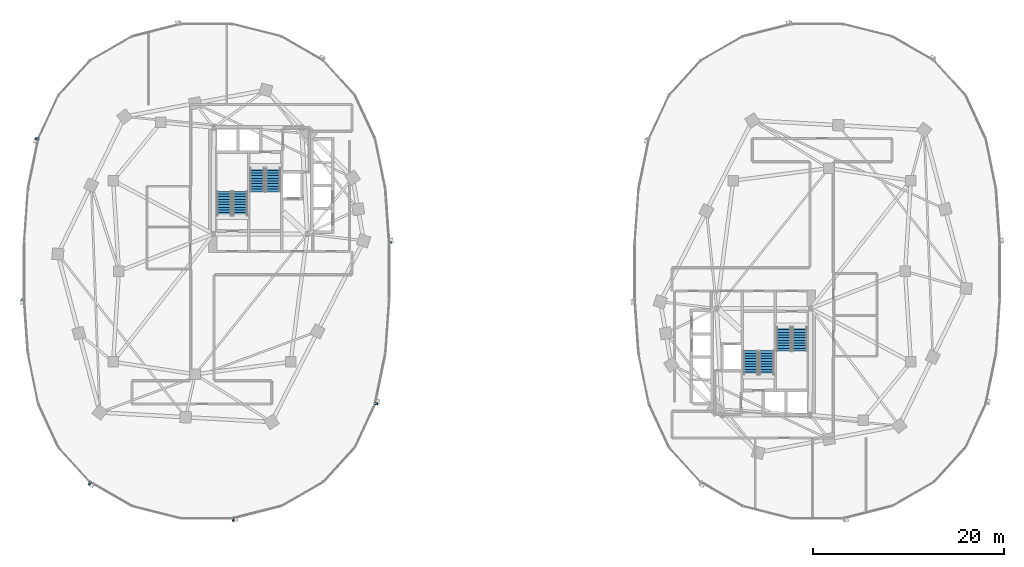
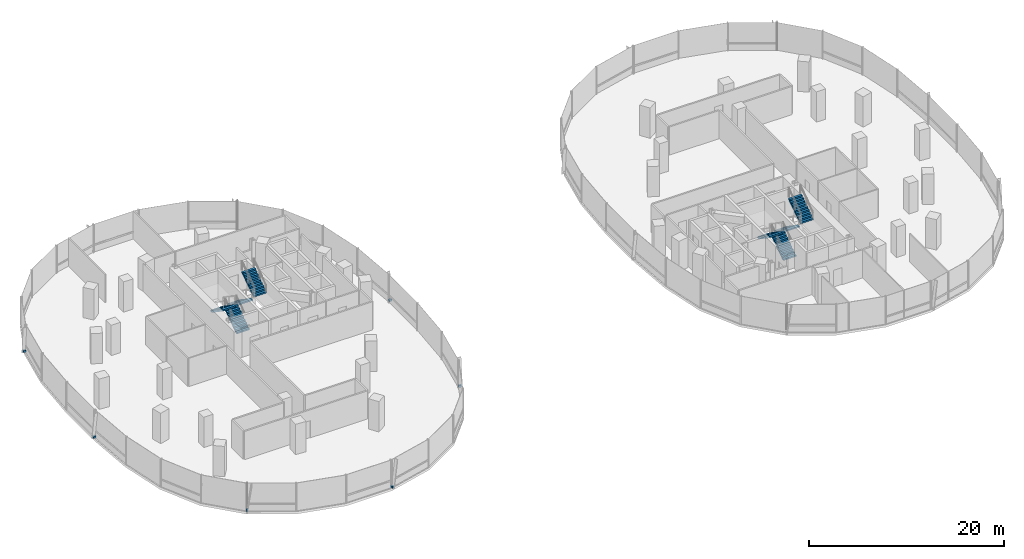
# One storey, part 14 of 21: 8 stair flights, 6 discrete accessories, 4 elements without a shape of their own.
"""IFC4 building model written with IfcOpenShell, lengths in metres."""

from ifc_helpers import new_model, si_unit, direction, frame, origin, origin_2d, place, context, subcontext, project, spatial, polyline, rectangle, outline, extrude, material, type_object, element, aggregate, save


model = new_model("IFC4")

# Units and contexts
model_context = context("Model", 3, precision=1e-05, world=origin(), true_north=direction((0.0, 1.0)))
body_context = subcontext(model_context, "Body", "Model", "MODEL_VIEW")
ifc_project = project(units=[si_unit("LENGTHUNIT", "METRE"), si_unit("AREAUNIT", "SQUARE_METRE"), si_unit("VOLUMEUNIT", "CUBIC_METRE"), si_unit("PLANEANGLEUNIT", "RADIAN"), si_unit("MASSUNIT", "GRAM", prefix="KILO"), si_unit("THERMODYNAMICTEMPERATUREUNIT", "KELVIN"), si_unit("POWERUNIT", "WATT")], contexts=[model_context])

# Site, building, storey
site_placement = place(None, origin())
site = spatial("IfcSite", under=ifc_project, at=site_placement, CompositionType="ELEMENT")
building_placement = place(site_placement, origin())
building = spatial("IfcBuilding", under=site, at=building_placement, Name="Cundina Bronze Exchange", CompositionType="ELEMENT")
storey_placement = place(building_placement, frame((0.0, 0.0, 73.39990234375)))
storey = spatial("IfcBuildingStorey", under=building, at=storey_placement, Name="L18", CompositionType="ELEMENT", Elevation=73.39990234375)

# Stair, stair flights
ifc_material_1 = material(Name="Concrete C40/50", Category="concrete")
stair_type = type_object("IfcStairType", Name="STR-TRD-380", PredefinedType="HALF_TURN_STAIR", material=ifc_material_1)
stair_1_placement = place(storey_placement, origin())
stair_1 = element("IfcStair", 1, at=stair_1_placement, inside=storey, type_object=stair_type, Name="L18 Smokeproof Exit Stair W1", PredefinedType="HALF_TURN_STAIR")
stair_flight_type = type_object("IfcStairFlightType", Name="FLG-TRD-190", PredefinedType="STRAIGHT", material=ifc_material_1)
stair_flight_1_placement = place(storey_placement, frame((-28.489990234375, 5.85009765625, 0.0), z_axis=(0.0, 0.0, 1.0), x_axis=(0.0, 1.0, 0.0)))
stair_flight_1 = element("IfcStairFlight", 2, at=stair_flight_1_placement, type_object=stair_flight_type, Name="ST-W1 flight 1", NumberOfRisers=10, NumberOfTreads=9, PredefinedType="STRAIGHT", RiserHeight=0.19, TreadLength=0.28, context=body_context, shape_type="SweptSolid", body=[
    extrude(outline(polyline([(0.0, 0.0), (0.0, 0.18994140625), (0.280029296875, 0.18994140625), (0.280029296875, 0.3798828125), (0.56005859375, 0.3798828125), (0.56005859375, 0.570068359375), (0.840087890625, 0.570068359375), (0.840087890625, 0.760009765625), (1.1201171875, 0.760009765625), (1.1201171875, 0.949951171875), (1.39990234375, 0.949951171875), (1.39990234375, 1.139892578125), (1.679931640625, 1.139892578125), (1.679931640625, 1.330078125), (1.9599609375, 1.330078125), (1.9599609375, 1.52001953125), (2.239990234375, 1.52001953125), (2.239990234375, 1.7099609375), (2.52001953125, 1.7099609375), (2.52001953125, 1.89990234375), (2.52001953125, 1.52880859375), (0.266845703125, 0.0), (0.0, 0.0)])), frame((0.0, 0.75, 0.0), z_axis=(0.0, -1.0, 0.0), x_axis=(1.0, 0.0, 0.0)), (0.0, 0.0, 1.0), 1.5),
])
stair_flight_2_placement = place(storey_placement, frame((-30.14990234375, 8.3701171875, 1.900146484375), z_axis=(0.0, 0.0, 1.0), x_axis=(0.0, -1.0, 0.0)))
stair_flight_2 = element("IfcStairFlight", 3, at=stair_flight_2_placement, type_object=stair_flight_type, Name="ST-W1 flight 2", NumberOfRisers=10, NumberOfTreads=9, PredefinedType="STRAIGHT", RiserHeight=0.19, TreadLength=0.28, context=body_context, shape_type="SweptSolid", body=[
    extrude(outline(polyline([(0.0, 0.0), (0.0, 0.18994140625), (0.280029296875, 0.18994140625), (0.280029296875, 0.3798828125), (0.56005859375, 0.3798828125), (0.56005859375, 0.570068359375), (0.840087890625, 0.570068359375), (0.840087890625, 0.760009765625), (1.1201171875, 0.760009765625), (1.1201171875, 0.949951171875), (1.39990234375, 0.949951171875), (1.39990234375, 1.139892578125), (1.679931640625, 1.139892578125), (1.679931640625, 1.330078125), (1.9599609375, 1.330078125), (1.9599609375, 1.52001953125), (2.239990234375, 1.52001953125), (2.239990234375, 1.7099609375), (2.52001953125, 1.7099609375), (2.52001953125, 1.89990234375), (2.52001953125, 1.52880859375), (0.266845703125, 0.0), (0.0, 0.0)])), frame((0.0, 0.75, 0.0), z_axis=(0.0, -1.0, 0.0), x_axis=(1.0, 0.0, 0.0)), (0.0, 0.0, 1.0), 1.5),
])
aggregate(stair_1, [stair_flight_1, stair_flight_2])

stair_2_placement = place(storey_placement, origin())
stair_2 = element("IfcStair", 4, at=stair_2_placement, inside=storey, type_object=stair_type, Name="L18 Smokeproof Exit Stair W2", PredefinedType="HALF_TURN_STAIR")
stair_flight_3_placement = place(storey_placement, frame((-26.68994140625, 10.85009765625, 0.0), z_axis=(0.0, 0.0, 1.0), x_axis=(0.0, -1.0, 0.0)))
stair_flight_3 = element("IfcStairFlight", 5, at=stair_flight_3_placement, type_object=stair_flight_type, Name="ST-W2 flight 1", NumberOfRisers=10, NumberOfTreads=9, PredefinedType="STRAIGHT", RiserHeight=0.19, TreadLength=0.28, context=body_context, shape_type="SweptSolid", body=[
    extrude(outline(polyline([(0.0, 0.0), (0.0, 0.18994140625), (0.280029296875, 0.18994140625), (0.280029296875, 0.3798828125), (0.56005859375, 0.3798828125), (0.56005859375, 0.570068359375), (0.840087890625, 0.570068359375), (0.840087890625, 0.760009765625), (1.1201171875, 0.760009765625), (1.1201171875, 0.949951171875), (1.39990234375, 0.949951171875), (1.39990234375, 1.139892578125), (1.679931640625, 1.139892578125), (1.679931640625, 1.330078125), (1.9599609375, 1.330078125), (1.9599609375, 1.52001953125), (2.239990234375, 1.52001953125), (2.239990234375, 1.7099609375), (2.52001953125, 1.7099609375), (2.52001953125, 1.89990234375), (2.52001953125, 1.52880859375), (0.266845703125, 0.0), (0.0, 0.0)])), frame((0.0, 0.75, 0.0), z_axis=(0.0, -1.0, 0.0), x_axis=(1.0, 0.0, 0.0)), (0.0, 0.0, 1.0), 1.5),
])
stair_flight_4_placement = place(storey_placement, frame((-25.030029296875, 8.330078125, 1.900146484375), z_axis=(0.0, 0.0, 1.0), x_axis=(0.0, 1.0, 0.0)))
stair_flight_4 = element("IfcStairFlight", 6, at=stair_flight_4_placement, type_object=stair_flight_type, Name="ST-W2 flight 2", NumberOfRisers=10, NumberOfTreads=9, PredefinedType="STRAIGHT", RiserHeight=0.19, TreadLength=0.28, context=body_context, shape_type="SweptSolid", body=[
    extrude(outline(polyline([(0.0, 0.0), (0.0, 0.18994140625), (0.280029296875, 0.18994140625), (0.280029296875, 0.3798828125), (0.56005859375, 0.3798828125), (0.56005859375, 0.570068359375), (0.840087890625, 0.570068359375), (0.840087890625, 0.760009765625), (1.1201171875, 0.760009765625), (1.1201171875, 0.949951171875), (1.39990234375, 0.949951171875), (1.39990234375, 1.139892578125), (1.679931640625, 1.139892578125), (1.679931640625, 1.330078125), (1.9599609375, 1.330078125), (1.9599609375, 1.52001953125), (2.239990234375, 1.52001953125), (2.239990234375, 1.7099609375), (2.52001953125, 1.7099609375), (2.52001953125, 1.89990234375), (2.52001953125, 1.52880859375), (0.266845703125, 0.0), (0.0, 0.0)])), frame((0.0, 0.75, 0.0), z_axis=(0.0, -1.0, 0.0), x_axis=(1.0, 0.0, 0.0)), (0.0, 0.0, 1.0), 1.5),
])
aggregate(stair_2, [stair_flight_3, stair_flight_4])

stair_3_placement = place(storey_placement, origin())
stair_3 = element("IfcStair", 7, at=stair_3_placement, inside=storey, type_object=stair_type, Name="L18 Smokeproof Exit Stair E1", PredefinedType="HALF_TURN_STAIR")
stair_flight_5_placement = place(storey_placement, frame((28.489990234375, -5.85009765625, 0.0), z_axis=(0.0, 0.0, 1.0), x_axis=(0.0, -1.0, 0.0)))
stair_flight_5 = element("IfcStairFlight", 8, at=stair_flight_5_placement, type_object=stair_flight_type, Name="ST-E1 flight 1", NumberOfRisers=10, NumberOfTreads=9, PredefinedType="STRAIGHT", RiserHeight=0.19, TreadLength=0.28, context=body_context, shape_type="SweptSolid", body=[
    extrude(outline(polyline([(0.0, 0.0), (0.0, 0.18994140625), (0.280029296875, 0.18994140625), (0.280029296875, 0.3798828125), (0.56005859375, 0.3798828125), (0.56005859375, 0.570068359375), (0.840087890625, 0.570068359375), (0.840087890625, 0.760009765625), (1.1201171875, 0.760009765625), (1.1201171875, 0.949951171875), (1.39990234375, 0.949951171875), (1.39990234375, 1.139892578125), (1.679931640625, 1.139892578125), (1.679931640625, 1.330078125), (1.9599609375, 1.330078125), (1.9599609375, 1.52001953125), (2.239990234375, 1.52001953125), (2.239990234375, 1.7099609375), (2.52001953125, 1.7099609375), (2.52001953125, 1.89990234375), (2.52001953125, 1.52880859375), (0.266845703125, 0.0), (0.0, 0.0)])), frame((0.0, 0.75, 0.0), z_axis=(0.0, -1.0, 0.0), x_axis=(1.0, 0.0, 0.0)), (0.0, 0.0, 1.0), 1.5),
])
stair_flight_6_placement = place(storey_placement, frame((30.14990234375, -8.3701171875, 1.900146484375), z_axis=(0.0, 0.0, 1.0), x_axis=(0.0, 1.0, 0.0)))
stair_flight_6 = element("IfcStairFlight", 9, at=stair_flight_6_placement, type_object=stair_flight_type, Name="ST-E1 flight 2", NumberOfRisers=10, NumberOfTreads=9, PredefinedType="STRAIGHT", RiserHeight=0.19, TreadLength=0.28, context=body_context, shape_type="SweptSolid", body=[
    extrude(outline(polyline([(0.0, 0.0), (0.0, 0.18994140625), (0.280029296875, 0.18994140625), (0.280029296875, 0.3798828125), (0.56005859375, 0.3798828125), (0.56005859375, 0.570068359375), (0.840087890625, 0.570068359375), (0.840087890625, 0.760009765625), (1.1201171875, 0.760009765625), (1.1201171875, 0.949951171875), (1.39990234375, 0.949951171875), (1.39990234375, 1.139892578125), (1.679931640625, 1.139892578125), (1.679931640625, 1.330078125), (1.9599609375, 1.330078125), (1.9599609375, 1.52001953125), (2.239990234375, 1.52001953125), (2.239990234375, 1.7099609375), (2.52001953125, 1.7099609375), (2.52001953125, 1.89990234375), (2.52001953125, 1.52880859375), (0.266845703125, 0.0), (0.0, 0.0)])), frame((0.0, 0.75, 0.0), z_axis=(0.0, -1.0, 0.0), x_axis=(1.0, 0.0, 0.0)), (0.0, 0.0, 1.0), 1.5),
])
aggregate(stair_3, [stair_flight_5, stair_flight_6])

stair_4_placement = place(storey_placement, origin())
stair_4 = element("IfcStair", 10, at=stair_4_placement, inside=storey, type_object=stair_type, Name="L18 Smokeproof Exit Stair E2", PredefinedType="HALF_TURN_STAIR")
stair_flight_7_placement = place(storey_placement, frame((26.68994140625, -10.85009765625, 0.0), z_axis=(0.0, 0.0, 1.0), x_axis=(0.0, 1.0, 0.0)))
stair_flight_7 = element("IfcStairFlight", 11, at=stair_flight_7_placement, type_object=stair_flight_type, Name="ST-E2 flight 1", NumberOfRisers=10, NumberOfTreads=9, PredefinedType="STRAIGHT", RiserHeight=0.19, TreadLength=0.28, context=body_context, shape_type="SweptSolid", body=[
    extrude(outline(polyline([(0.0, 0.0), (0.0, 0.18994140625), (0.280029296875, 0.18994140625), (0.280029296875, 0.3798828125), (0.56005859375, 0.3798828125), (0.56005859375, 0.570068359375), (0.840087890625, 0.570068359375), (0.840087890625, 0.760009765625), (1.1201171875, 0.760009765625), (1.1201171875, 0.949951171875), (1.39990234375, 0.949951171875), (1.39990234375, 1.139892578125), (1.679931640625, 1.139892578125), (1.679931640625, 1.330078125), (1.9599609375, 1.330078125), (1.9599609375, 1.52001953125), (2.239990234375, 1.52001953125), (2.239990234375, 1.7099609375), (2.52001953125, 1.7099609375), (2.52001953125, 1.89990234375), (2.52001953125, 1.52880859375), (0.266845703125, 0.0), (0.0, 0.0)])), frame((0.0, 0.75, 0.0), z_axis=(0.0, -1.0, 0.0), x_axis=(1.0, 0.0, 0.0)), (0.0, 0.0, 1.0), 1.5),
])
stair_flight_8_placement = place(storey_placement, frame((25.030029296875, -8.330078125, 1.900146484375), z_axis=(0.0, 0.0, 1.0), x_axis=(0.0, -1.0, 0.0)))
stair_flight_8 = element("IfcStairFlight", 12, at=stair_flight_8_placement, type_object=stair_flight_type, Name="ST-E2 flight 2", NumberOfRisers=10, NumberOfTreads=9, PredefinedType="STRAIGHT", RiserHeight=0.19, TreadLength=0.28, context=body_context, shape_type="SweptSolid", body=[
    extrude(outline(polyline([(0.0, 0.0), (0.0, 0.18994140625), (0.280029296875, 0.18994140625), (0.280029296875, 0.3798828125), (0.56005859375, 0.3798828125), (0.56005859375, 0.570068359375), (0.840087890625, 0.570068359375), (0.840087890625, 0.760009765625), (1.1201171875, 0.760009765625), (1.1201171875, 0.949951171875), (1.39990234375, 0.949951171875), (1.39990234375, 1.139892578125), (1.679931640625, 1.139892578125), (1.679931640625, 1.330078125), (1.9599609375, 1.330078125), (1.9599609375, 1.52001953125), (2.239990234375, 1.52001953125), (2.239990234375, 1.7099609375), (2.52001953125, 1.7099609375), (2.52001953125, 1.89990234375), (2.52001953125, 1.52880859375), (0.266845703125, 0.0), (0.0, 0.0)])), frame((0.0, 0.75, 0.0), z_axis=(0.0, -1.0, 0.0), x_axis=(1.0, 0.0, 0.0)), (0.0, 0.0, 1.0), 1.5),
])
aggregate(stair_4, [stair_flight_7, stair_flight_8])

# Discrete accessories
ifc_material_2 = material(Name="Anodised Bronze Aluminium 6063-T6", Category="aluminium")
discrete_accessory_type = type_object("IfcDiscreteAccessoryType", Name="ACC-BRK-FIN", PredefinedType="BRACKET", material=ifc_material_2)
for number, where, z_axis, x_axis, name in (
    (13, (-12.735595703125, 2.986083984375, 0.10009765625), (0.0, 0.0, 1.0), (-0.070278787473, 0.997527389113, 0.0), "L18 Fin Support Bracket 1"),
    (14, (-49.788330078125, 13.8896484375, 0.10009765625), (0.0, 0.0, 1.0), (-0.201419845156, -0.979505000486, 0.0), "L18 Fin Support Bracket 5"),
    (15, (-51.264404296875, -2.986083984375, 0.10009765625), (0.0, 0.0, 1.0), (0.070278787473, -0.997527389113, 0.0), "L18 Fin Support Bracket 1"),
    (16, (-44.259521484375, -22.21875, 0.10009765625), (0.0, 0.0, 1.0), (0.867105478933, -0.498124571171, 0.0), "L18 Fin Support Bracket 5"),
    (17, (-29.23974609375, -26.03173828125, 0.10009765625), (0.0, 0.0, 1.0), (0.969488149345, 0.245138182011, 0.0), "L18 Fin Support Bracket 1"),
    (18, (-14.211669921875, -13.8896484375, 0.10009765625), (0.0, 0.0, 1.0), (0.201419845156, 0.979505000486, 0.0), "L18 Fin Support Bracket 5"),
):
    element("IfcDiscreteAccessory", number, at=place(storey_placement, frame(where, z_axis=z_axis, x_axis=x_axis)), inside=storey, type_object=discrete_accessory_type, Name=name, PredefinedType="BRACKET", context=body_context, shape_type="SweptSolid", body=[
        extrude(rectangle(XDim=0.219970703125, YDim=0.320068359375, at=origin_2d()), origin(), (0.0, 0.0, 1.0), 0.239990234375),
    ])

save(model, "model.ifc")
